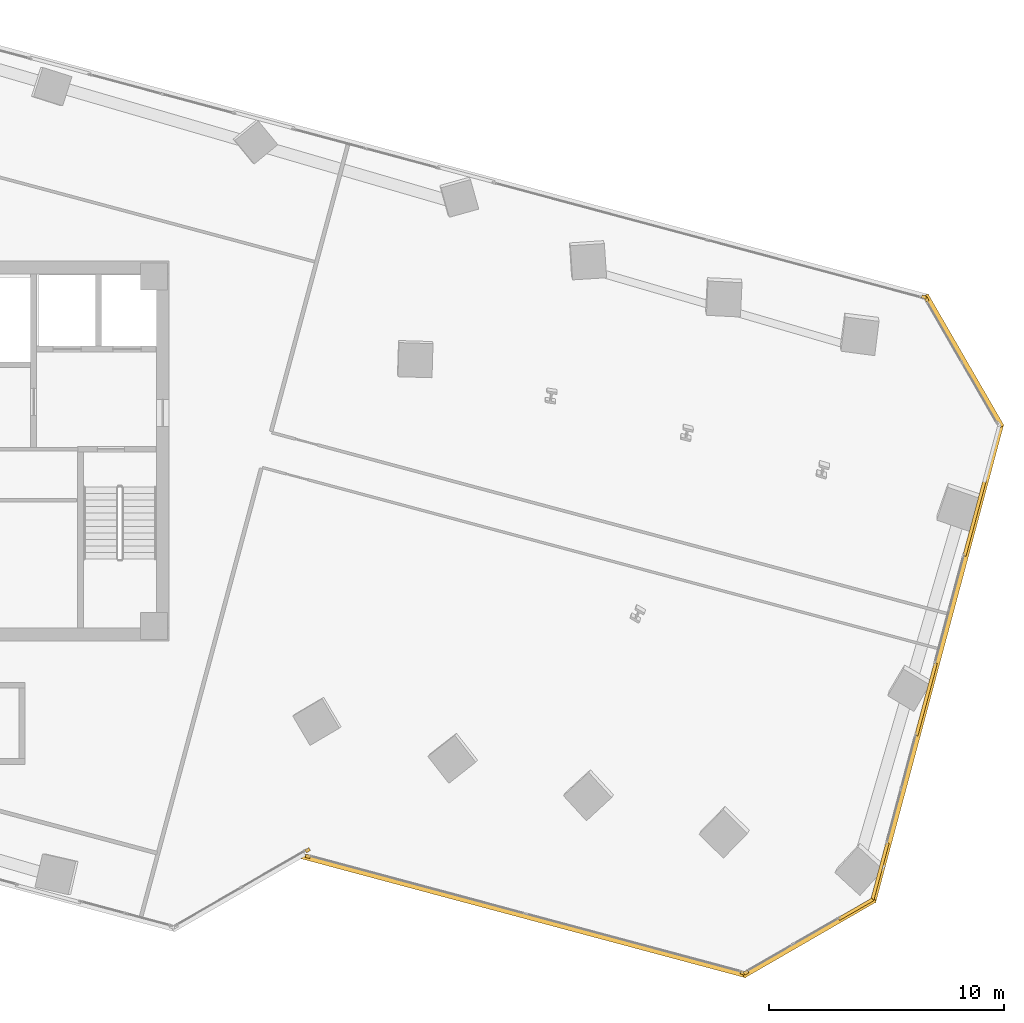
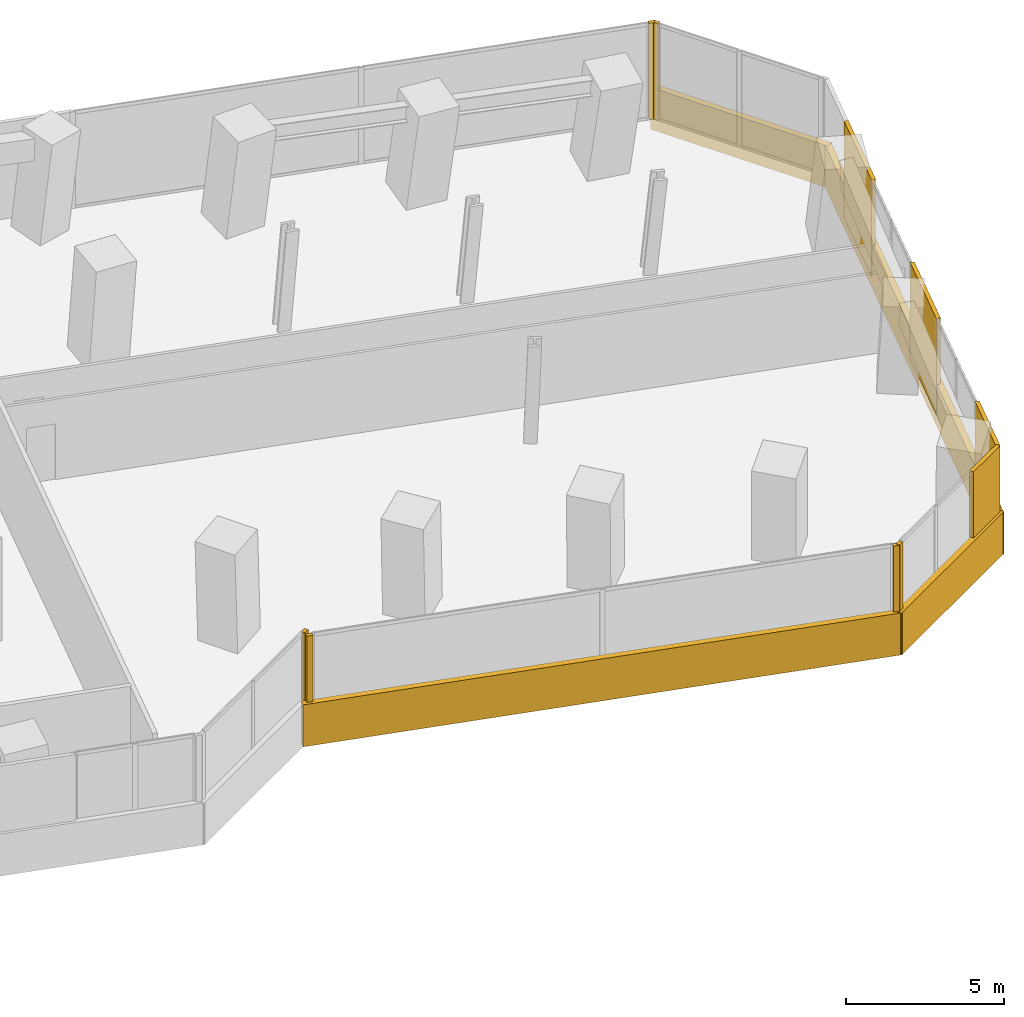
# One storey, part 24 of 26: 14 coverings.
"""IFC4 building model written with IfcOpenShell, lengths in metres."""

from ifc_helpers import new_model, si_unit, direction, frame, origin, origin_2d, place, context, subcontext, project, spatial, rectangle, extrude, source, transform, mapped, material, layer, layer_set, type_object, element, save


model = new_model("IFC4")

# Units and contexts
model_context = context("Model", 3, precision=1e-05, world=origin(), true_north=direction((0.0, 1.0)))
body_context = subcontext(model_context, "Body", "Model", "MODEL_VIEW")
ifc_project = project(units=[si_unit("LENGTHUNIT", "METRE"), si_unit("AREAUNIT", "SQUARE_METRE"), si_unit("VOLUMEUNIT", "CUBIC_METRE"), si_unit("PLANEANGLEUNIT", "RADIAN"), si_unit("MASSUNIT", "GRAM", prefix="KILO")], contexts=[model_context])

# Site, building, storey
site_placement = place(None, origin())
site = spatial("IfcSite", under=ifc_project, at=site_placement, CompositionType="ELEMENT")
building_placement = place(site_placement, origin())
building = spatial("IfcBuilding", under=site, at=building_placement, Name="Torre Montelarca", CompositionType="ELEMENT")
storey_placement = place(building_placement, frame((0.0, 0.0, 104.199951171875)))
storey = spatial("IfcBuildingStorey", under=building, at=storey_placement, Name="L23", CompositionType="ELEMENT", Elevation=104.199951171875)

# Coverings
ifc_material = material(Name="Bush-hammered warm white precast concrete C45/55", Category="concrete")
ifc_layer = layer(ifc_material, 0.139892578125, Name="Bush-hammered warm white precast concrete C45/55", Category="concrete")
ifc_layer_set = layer_set([ifc_layer], Name="Bush-hammered warm white precast concrete C45/55")
covering_type = type_object("IfcCoveringType", Name="COV-TRAY-CLAD", PredefinedType="CLADDING", material=ifc_layer_set)
shared_shape_1 = source(origin(), body_context, "Body", "SweptSolid", [
    extrude(rectangle(XDim=6.48388671875, YDim=0.219970703125, at=origin_2d()), origin(), (0.0, 0.0, 1.0), 1.6201171875),
])
for number, where, z_axis, x_axis, name in (
    (1, (54.3798828125, 11.25439453125, -0.449951171875), (0.0, 0.0, 1.0), (0.866026276448, 0.4999984885, 0.0), "L23 Architectural White Spandrel Tray Band TRYBOT-05"),
    (2, (60.96875, 35.844482421875, -0.449951171875), (0.0, 0.0, 1.0), (-0.500006045986, 0.866021913105, 0.0), "L23 Architectural White Spandrel Tray Band TRYBOT-07"),
):
    element("IfcCovering", number, at=place(storey_placement, frame(where, z_axis=z_axis, x_axis=x_axis)), inside=storey, type_object=covering_type, Name=name, PredefinedType="CLADDING", context=body_context, shape_type="MappedRepresentation", body=[
        mapped(shared_shape_1, transform((0.0, 0.0, 0.0), scale=1.0)),
    ])
shared_shape_2 = source(origin(), body_context, "Body", "SweptSolid", [
    extrude(rectangle(XDim=21.1201171875, YDim=0.219970703125, at=origin_2d()), origin(), (0.0, 0.0, 1.0), 1.6201171875),
])
covering_1_placement = place(storey_placement, frame((59.839111328125, 22.969482421875, -0.449951171875), z_axis=(0.0, 0.0, 1.0), x_axis=(0.258819045103, 0.965925826289, 0.0)))
element("IfcCovering", 3, at=covering_1_placement, inside=storey, type_object=covering_type, Name="L23 Architectural White Spandrel Tray Band TRYBOT-06", PredefinedType="CLADDING", context=body_context, shape_type="MappedRepresentation", body=[
    mapped(shared_shape_2, transform((0.0, 0.0, 0.0), scale=1.0)),
])
shared_shape_3 = source(origin(), body_context, "Body", "SweptSolid", [
    extrude(rectangle(XDim=19.6201171875, YDim=0.219970703125, at=origin_2d()), origin(), (0.0, 0.0, 1.0), 1.6201171875),
])
covering_2_placement = place(storey_placement, frame((42.22900390625, 12.18994140625, -0.449951171875), z_axis=(0.0, 0.0, 1.0), x_axis=(0.965925374563, -0.258820730961, 0.0)))
element("IfcCovering", 4, at=covering_2_placement, inside=storey, type_object=covering_type, Name="L23 Architectural White Spandrel Tray Band TRYBOT-04", PredefinedType="CLADDING", context=body_context, shape_type="MappedRepresentation", body=[
    mapped(shared_shape_3, transform((0.0, 0.0, 0.0), scale=1.0)),
])
shared_shape_4 = source(origin(), body_context, "Body", "SweptSolid", [
    extrude(rectangle(XDim=0.199951171875, YDim=0.139892578125, at=origin_2d()), origin(), (0.0, 0.0, 1.0), 3.719970703125),
])
for number, where, z_axis, x_axis, name in (
    (5, (33.002197265625, 14.984619140625, 0.0), (0.0, 0.0, 1.0), (0.866024531118, 0.500001511499, 0.0), "L23 Architectural Column Pier Cladding E02-2"),
    (6, (33.01220703125, 14.7216796875, 0.0), (0.0, 0.0, 1.0), (0.965924471102, -0.258824102675, 0.0), "L23 Architectural Column Pier Cladding E04-1"),
    (7, (51.550537109375, 9.75439453125, 0.0), (0.0, 0.0, 1.0), (0.965924471102, -0.258824102675, 0.0), "L23 Architectural Column Pier Cladding E04-2"),
    (8, (51.6943359375, 9.773193359375, 0.0), (0.0, 0.0, 1.0), (0.866024531118, 0.500001511499, 0.0), "L23 Architectural Column Pier Cladding E05-1"),
    (9, (59.383544921875, 38.469970703125, 0.0), (0.0, 0.0, 1.0), (-0.500007557478, 0.866021040428, 0.0), "L23 Architectural Column Pier Cladding E07-2"),
    (10, (59.2685546875, 38.558349609375, 0.0), (0.0, 0.0, 1.0), (-0.965925374563, 0.258820730961, 0.0), "L23 Architectural Column Pier Cladding E08-1"),
):
    element("IfcCovering", number, at=place(storey_placement, frame(where, z_axis=z_axis, x_axis=x_axis)), inside=storey, type_object=covering_type, Name=name, PredefinedType="CLADDING", context=body_context, shape_type="MappedRepresentation", body=[
        mapped(shared_shape_4, transform((0.0, 0.0, 0.0), scale=1.0)),
    ])
shared_shape_5 = source(origin(), body_context, "Body", "SweptSolid", [
    extrude(rectangle(XDim=1.6787109375, YDim=0.139892578125, at=origin_2d()), origin(), (0.0, 0.0, 1.0), 3.719970703125),
])
covering_3_placement = place(storey_placement, frame((56.364990234375, 12.4697265625, 0.0), z_axis=(0.0, 0.0, 1.0), x_axis=(0.866024531118, 0.500001511499, 0.0)))
element("IfcCovering", 11, at=covering_3_placement, inside=storey, type_object=covering_type, Name="L23 Architectural Column Pier Cladding E05-2", PredefinedType="CLADDING", context=body_context, shape_type="MappedRepresentation", body=[
    mapped(shared_shape_5, transform((0.0, 0.0, 0.0), scale=1.0)),
])
shared_shape_6 = source(origin(), body_context, "Body", "SweptSolid", [
    extrude(rectangle(XDim=3.199951171875, YDim=0.139892578125, at=origin_2d()), origin(), (0.0, 0.0, 1.0), 3.719970703125),
])
covering_4_placement = place(storey_placement, frame((59.36181640625, 21.420166015625, 0.0), z_axis=(0.0, 0.0, 1.0), x_axis=(0.258819045103, 0.965925826289, 0.0)))
element("IfcCovering", 12, at=covering_4_placement, inside=storey, type_object=covering_type, Name="L23 Architectural Column Pier Cladding E06-2", PredefinedType="CLADDING", context=body_context, shape_type="MappedRepresentation", body=[
    mapped(shared_shape_6, transform((0.0, 0.0, 0.0), scale=1.0)),
])
shared_shape_7 = source(origin(), body_context, "Body", "SweptSolid", [
    extrude(rectangle(XDim=3.351806640625, YDim=0.139892578125, at=origin_2d()), origin(), (0.0, 0.0, 1.0), 3.719970703125),
])
covering_5_placement = place(storey_placement, frame((61.43212890625, 29.146728515625, 0.0), z_axis=(0.0, 0.0, 1.0), x_axis=(0.258819045103, 0.965925826289, 0.0)))
element("IfcCovering", 13, at=covering_5_placement, inside=storey, type_object=covering_type, Name="L23 Architectural Column Pier Cladding E06-3", PredefinedType="CLADDING", context=body_context, shape_type="MappedRepresentation", body=[
    mapped(shared_shape_7, transform((0.0, 0.0, 0.0), scale=1.0)),
])
shared_shape_8 = source(origin(), body_context, "Body", "SweptSolid", [
    extrude(rectangle(XDim=2.5390625, YDim=0.139892578125, at=origin_2d()), origin(), (0.0, 0.0, 1.0), 3.719970703125),
])
covering_6_placement = place(storey_placement, frame((57.396240234375, 14.08447265625, 0.0), z_axis=(0.0, 0.0, 1.0), x_axis=(0.258819045103, 0.965925826289, 0.0)))
element("IfcCovering", 14, at=covering_6_placement, inside=storey, type_object=covering_type, Name="L23 Architectural Column Pier Cladding E06-1", PredefinedType="CLADDING", context=body_context, shape_type="MappedRepresentation", body=[
    mapped(shared_shape_8, transform((0.0, 0.0, 0.0), scale=1.0)),
])

save(model, "model.ifc")
